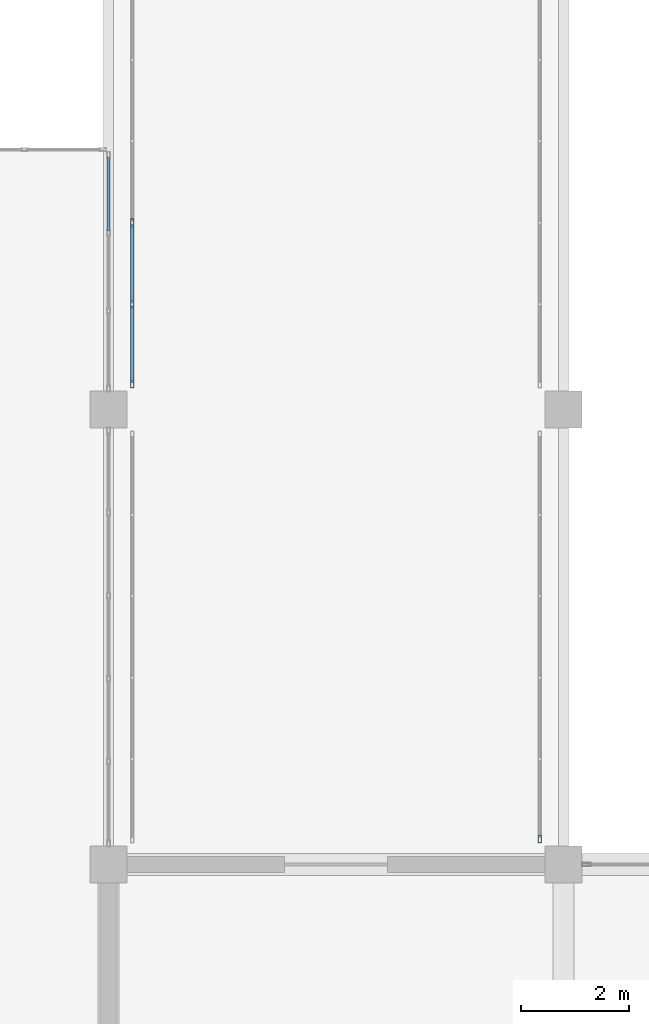
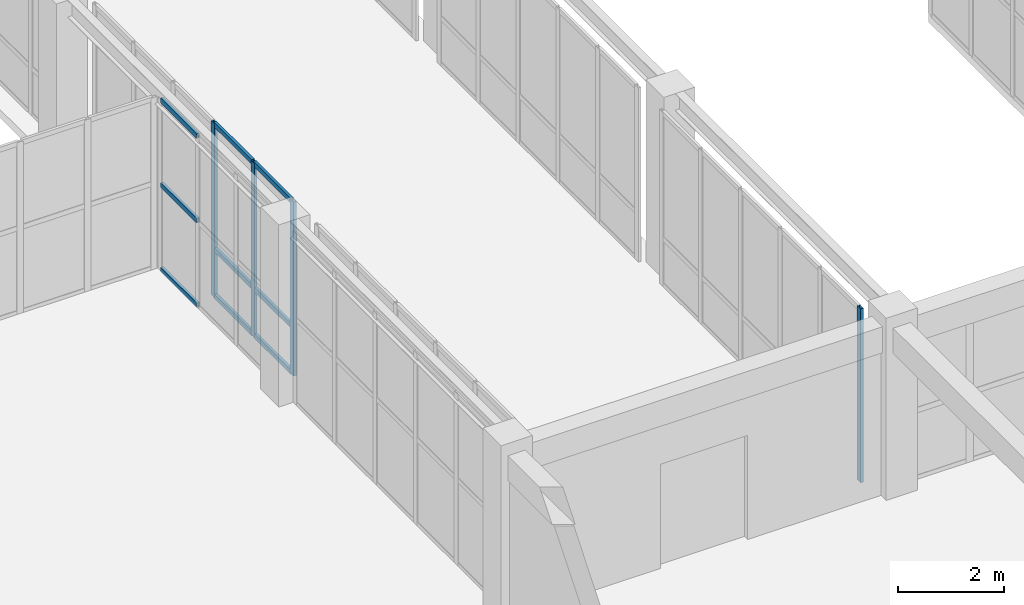
# One storey, part 59 of 140: 13 members, 3 elements without a shape of their own.
"""IFC4 building model written with IfcOpenShell, lengths in metres."""

from ifc_helpers import new_model, si_unit, direction, frame, origin, origin_2d, place, context, subcontext, project, spatial, hollow_rectangle, extrude, material, layer, layer_set, material_profile, profile_set, type_object, element, aggregate, save


model = new_model("IFC4")

# Units and contexts
model_context = context("Model", 3, precision=1e-05, world=origin(), true_north=direction((0.0, 1.0)))
body_context = subcontext(model_context, "Body", "Model", "MODEL_VIEW")
ifc_project = project(units=[si_unit("LENGTHUNIT", "METRE"), si_unit("AREAUNIT", "SQUARE_METRE"), si_unit("VOLUMEUNIT", "CUBIC_METRE"), si_unit("PLANEANGLEUNIT", "RADIAN"), si_unit("MASSUNIT", "GRAM", prefix="KILO")], contexts=[model_context])

# Site, building, storey
site_placement = place(None, origin())
site = spatial("IfcSite", under=ifc_project, at=site_placement, CompositionType="ELEMENT")
building_placement = place(site_placement, origin())
building = spatial("IfcBuilding", under=site, at=building_placement, Name="Trelvath General Hospital", CompositionType="ELEMENT")
storey_placement = place(building_placement, frame((0.0, 0.0, 16.199951171875)))
storey = spatial("IfcBuildingStorey", under=building, at=storey_placement, Name="L04", CompositionType="ELEMENT", Elevation=16.199951171875)

# Curtain wall, member
ifc_material_1 = material(Name="Anodised aluminium and low-E glass", Category="aluminium")
ifc_layer_1 = layer(ifc_material_1, 0.139892578125)
ifc_layer_set_1 = layer_set([ifc_layer_1], Name="Anodised aluminium and low-E glass")
curtain_wall_type_1 = type_object("IfcCurtainWallType", Name="CW Bridge 752 401", PredefinedType="USERDEFINED", material=ifc_layer_set_1)
curtain_wall_1_placement = place(storey_placement, origin())
curtain_wall_1 = element("IfcCurtainWall", 1, at=curtain_wall_1_placement, inside=storey, type_object=curtain_wall_type_1, Name="Glazed Bridge Curtain Wall BRG-N-C E L04", ObjectType="Unitised Glazed Curtain Wall", PredefinedType="USERDEFINED")
ifc_material_2 = material(Name="Anodised aluminium", Category="aluminium")
ifc_material_profile_1 = material_profile(ifc_material_2, hollow_rectangle(XDim=0.06005859375, YDim=0.139892578125, WallThickness=0.00390625, at=origin_2d()), Name="RHS60x140x4")
ifc_profile_set_1 = profile_set([ifc_material_profile_1], Name="Anodised aluminium")
member_type_1 = type_object("IfcMemberType", Name="CurtainMullion 60x140", PredefinedType="MULLION", material=ifc_profile_set_1)
member_1_placement = place(storey_placement, frame((83.56005859375, 67.669921875, 0.0), z_axis=(0.0, 0.0, 1.0), x_axis=(1.0, 0.0, 0.0)))
member_1 = element("IfcMember", 2, at=member_1_placement, type_object=member_type_1, Name="CW-297 mullion 6", PredefinedType="MULLION", context=body_context, shape_type="SweptSolid", body=[
    extrude(hollow_rectangle(XDim=0.06005859375, YDim=0.139892578125, WallThickness=0.00390625, at=origin_2d()), origin(), (0.0, 0.0, 1.0), 4.010009765625),
])
aggregate(curtain_wall_1, [member_1])

# Curtain wall, members
curtain_wall_2_placement = place(storey_placement, origin())
curtain_wall_2 = element("IfcCurtainWall", 3, at=curtain_wall_2_placement, inside=storey, type_object=curtain_wall_type_1, Name="Glazed Bridge Curtain Wall BRG-N-C W L04", ObjectType="Unitised Glazed Curtain Wall", PredefinedType="USERDEFINED")
member_2_placement = place(storey_placement, frame((76.0400390625, 76.070068359375, 0.0), z_axis=(0.0, 0.0, 1.0), x_axis=(-1.0, 0.0, 0.0)))
member_2 = element("IfcMember", 4, at=member_2_placement, type_object=member_type_1, Name="CW-298 mullion 1", PredefinedType="MULLION", context=body_context, shape_type="SweptSolid", body=[
    extrude(hollow_rectangle(XDim=0.06005859375, YDim=0.139892578125, WallThickness=0.00390625, at=origin_2d()), origin(), (0.0, 0.0, 1.0), 4.010009765625),
])
member_3_placement = place(storey_placement, frame((76.0400390625, 77.5439453125, 0.0), z_axis=(0.0, 0.0, 1.0), x_axis=(-1.0, 0.0, 0.0)))
member_3 = element("IfcMember", 5, at=member_3_placement, type_object=member_type_1, Name="CW-298 mullion 2", PredefinedType="MULLION", context=body_context, shape_type="SweptSolid", body=[
    extrude(hollow_rectangle(XDim=0.06005859375, YDim=0.139892578125, WallThickness=0.00390625, at=origin_2d()), origin(), (0.0, 0.0, 1.0), 4.010009765625),
])
member_4_placement = place(storey_placement, frame((76.0400390625, 79.048095703125, 0.0), z_axis=(0.0, 0.0, 1.0), x_axis=(-1.0, 0.0, 0.0)))
member_4 = element("IfcMember", 6, at=member_4_placement, type_object=member_type_1, Name="CW-298 mullion 3", PredefinedType="MULLION", context=body_context, shape_type="SweptSolid", body=[
    extrude(hollow_rectangle(XDim=0.06005859375, YDim=0.139892578125, WallThickness=0.00390625, at=origin_2d()), origin(), (0.0, 0.0, 1.0), 4.010009765625),
])

ifc_material_3 = material(Name="Anodised aluminium and low-E glass", Category="aluminium")
ifc_layer_2 = layer(ifc_material_3, 0.139892578125)
ifc_layer_set_2 = layer_set([ifc_layer_2], Name="Anodised aluminium and low-E glass")
curtain_wall_type_2 = type_object("IfcCurtainWallType", Name="CW CrystalCube 435 396 14", PredefinedType="USERDEFINED", material=ifc_layer_set_2)
curtain_wall_3_placement = place(storey_placement, origin())
curtain_wall_3 = element("IfcCurtainWall", 7, at=curtain_wall_3_placement, inside=storey, type_object=curtain_wall_type_2, Name="Crystal Cube Curtain Wall CUBE-W-T1 E5 L04", ObjectType="Unitised Glazed Curtain Wall", PredefinedType="USERDEFINED")
ifc_material_4 = material(Name="Anodised aluminium", Category="aluminium")
ifc_material_profile_2 = material_profile(ifc_material_4, hollow_rectangle(XDim=0.06005859375, YDim=0.110107421875, WallThickness=0.00390625, at=origin_2d()), Name="RHS60x110x4")
ifc_profile_set_2 = profile_set([ifc_material_profile_2], Name="Anodised aluminium")
member_type_2 = type_object("IfcMemberType", Name="CurtainTransom 60x110", PredefinedType="USERDEFINED", material=ifc_profile_set_2)
member_5_placement = place(storey_placement, frame((75.60009765625, 80.260009765625, 0.030029296875), z_axis=(0.0, -1.0, 0.0), x_axis=(1.0, 0.0, 0.0)))
member_5 = element("IfcMember", 8, at=member_5_placement, type_object=member_type_2, Name="CW-281 transom 1.1", ObjectType="TRANSOM", PredefinedType="USERDEFINED", context=body_context, shape_type="SweptSolid", body=[
    extrude(hollow_rectangle(XDim=0.06005859375, YDim=0.110107421875, WallThickness=0.00390625, at=origin_2d()), origin(), (0.0, 0.0, 1.0), 1.360107421875),
])
member_6_placement = place(storey_placement, frame((75.60009765625, 80.260009765625, 1.97998046875), z_axis=(0.0, -1.0, 0.0), x_axis=(1.0, 0.0, 0.0)))
member_6 = element("IfcMember", 9, at=member_6_placement, type_object=member_type_2, Name="CW-281 transom 1.2", ObjectType="TRANSOM", PredefinedType="USERDEFINED", context=body_context, shape_type="SweptSolid", body=[
    extrude(hollow_rectangle(XDim=0.06005859375, YDim=0.110107421875, WallThickness=0.00390625, at=origin_2d()), origin(), (0.0, 0.0, 1.0), 1.360107421875),
])
member_7_placement = place(storey_placement, frame((75.60009765625, 80.260009765625, 3.929931640625), z_axis=(0.0, -1.0, 0.0), x_axis=(1.0, 0.0, 0.0)))
member_7 = element("IfcMember", 10, at=member_7_placement, type_object=member_type_2, Name="CW-281 transom 1.3", ObjectType="TRANSOM", PredefinedType="USERDEFINED", context=body_context, shape_type="SweptSolid", body=[
    extrude(hollow_rectangle(XDim=0.06005859375, YDim=0.110107421875, WallThickness=0.00390625, at=origin_2d()), origin(), (0.0, 0.0, 1.0), 1.360107421875),
])
aggregate(curtain_wall_3, [member_5, member_6, member_7])

# Member
member_8_placement = place(storey_placement, frame((76.0400390625, 76.10009765625, 0.030029296875), z_axis=(0.0, 1.0, 0.0), x_axis=(-1.0, 0.0, 0.0)))
member_8 = element("IfcMember", 11, at=member_8_placement, type_object=member_type_2, Name="CW-298 transom 1.1", ObjectType="TRANSOM", PredefinedType="USERDEFINED", context=body_context, shape_type="SweptSolid", body=[
    extrude(hollow_rectangle(XDim=0.06005859375, YDim=0.110107421875, WallThickness=0.00390625, at=origin_2d()), origin(), (0.0, 0.0, 1.0), 1.413818359375),
])

member_9_placement = place(storey_placement, frame((76.0400390625, 76.10009765625, 1.10009765625), z_axis=(0.0, 1.0, 0.0), x_axis=(-1.0, 0.0, 0.0)))
member_9 = element("IfcMember", 12, at=member_9_placement, type_object=member_type_2, Name="CW-298 transom 1.2", ObjectType="TRANSOM", PredefinedType="USERDEFINED", context=body_context, shape_type="SweptSolid", body=[
    extrude(hollow_rectangle(XDim=0.06005859375, YDim=0.110107421875, WallThickness=0.00390625, at=origin_2d()), origin(), (0.0, 0.0, 1.0), 1.413818359375),
])

member_10_placement = place(storey_placement, frame((76.0400390625, 76.10009765625, 3.97998046875), z_axis=(0.0, 1.0, 0.0), x_axis=(-1.0, 0.0, 0.0)))
member_10 = element("IfcMember", 13, at=member_10_placement, type_object=member_type_2, Name="CW-298 transom 1.3", ObjectType="TRANSOM", PredefinedType="USERDEFINED", context=body_context, shape_type="SweptSolid", body=[
    extrude(hollow_rectangle(XDim=0.06005859375, YDim=0.110107421875, WallThickness=0.00390625, at=origin_2d()), origin(), (0.0, 0.0, 1.0), 1.413818359375),
])

member_11_placement = place(storey_placement, frame((76.0400390625, 77.573974609375, 0.030029296875), z_axis=(0.0, 1.0, 0.0), x_axis=(-1.0, 0.0, 0.0)))
member_11 = element("IfcMember", 14, at=member_11_placement, type_object=member_type_2, Name="CW-298 transom 2.1", ObjectType="TRANSOM", PredefinedType="USERDEFINED", context=body_context, shape_type="SweptSolid", body=[
    extrude(hollow_rectangle(XDim=0.06005859375, YDim=0.110107421875, WallThickness=0.00390625, at=origin_2d()), origin(), (0.0, 0.0, 1.0), 1.444091796875),
])

member_12_placement = place(storey_placement, frame((76.0400390625, 77.573974609375, 1.10009765625), z_axis=(0.0, 1.0, 0.0), x_axis=(-1.0, 0.0, 0.0)))
member_12 = element("IfcMember", 15, at=member_12_placement, type_object=member_type_2, Name="CW-298 transom 2.2", ObjectType="TRANSOM", PredefinedType="USERDEFINED", context=body_context, shape_type="SweptSolid", body=[
    extrude(hollow_rectangle(XDim=0.06005859375, YDim=0.110107421875, WallThickness=0.00390625, at=origin_2d()), origin(), (0.0, 0.0, 1.0), 1.444091796875),
])

member_13_placement = place(storey_placement, frame((76.0400390625, 77.573974609375, 3.97998046875), z_axis=(0.0, 1.0, 0.0), x_axis=(-1.0, 0.0, 0.0)))
member_13 = element("IfcMember", 16, at=member_13_placement, type_object=member_type_2, Name="CW-298 transom 2.3", ObjectType="TRANSOM", PredefinedType="USERDEFINED", context=body_context, shape_type="SweptSolid", body=[
    extrude(hollow_rectangle(XDim=0.06005859375, YDim=0.110107421875, WallThickness=0.00390625, at=origin_2d()), origin(), (0.0, 0.0, 1.0), 1.444091796875),
])

aggregate(curtain_wall_2, [member_2, member_3, member_4, member_8, member_9, member_10, member_11, member_12, member_13])

save(model, "model.ifc")
